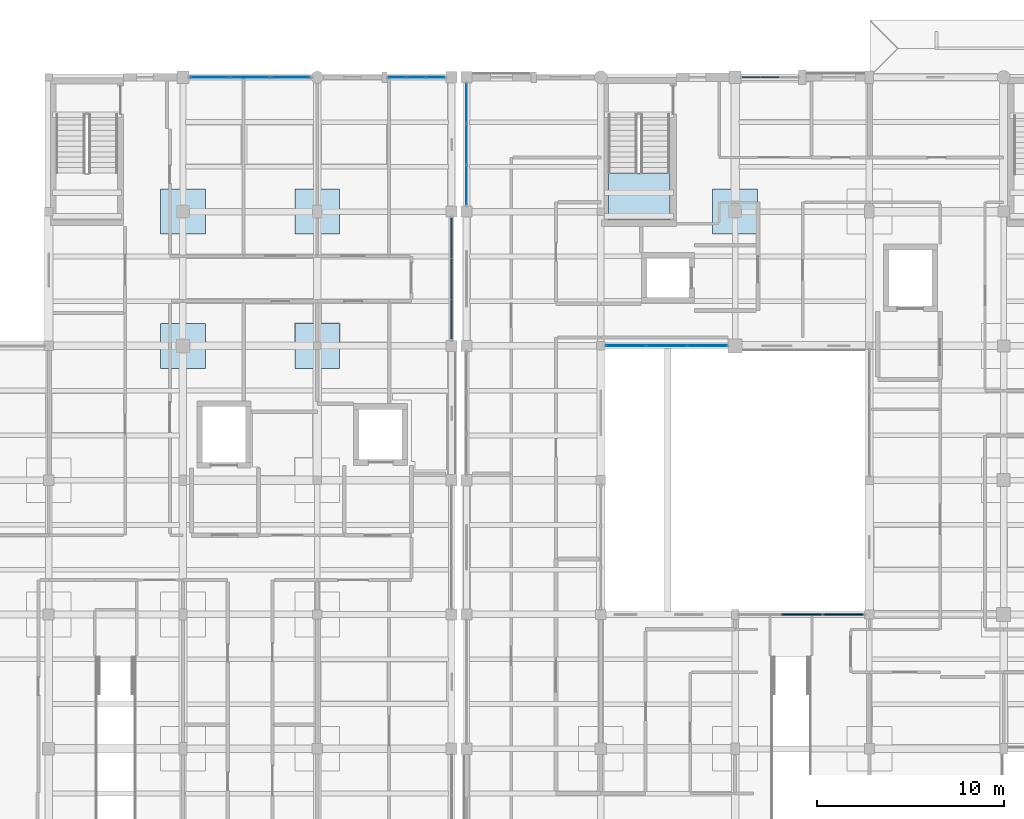
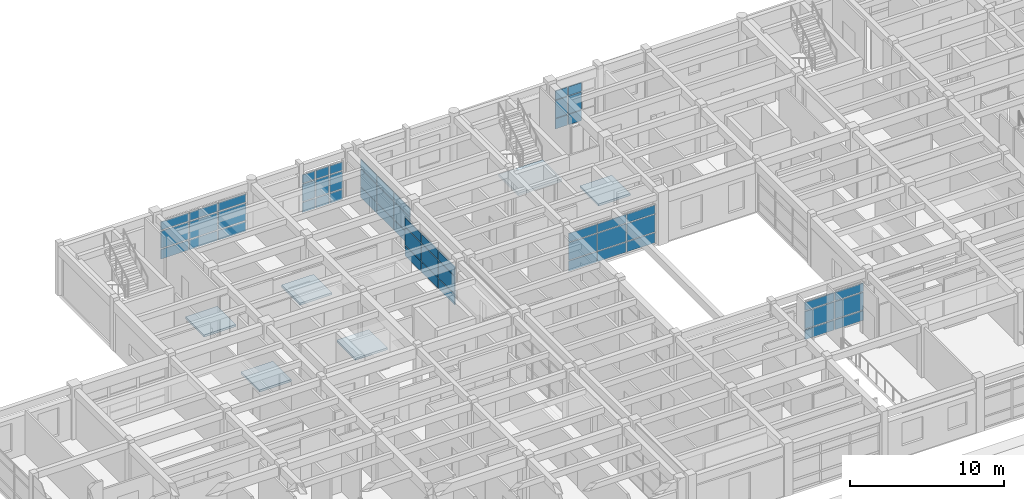
# One storey, part 65 of 110: 57 plates, 6 slabs, 8 elements without a shape of their own.
"""IFC4 building model written with IfcOpenShell, lengths in metres."""

from ifc_helpers import new_model, si_unit, direction, frame, origin, origin_2d, place, context, subcontext, project, spatial, polyline, rectangle, outline, extrude, material, layer, layer_set, type_object, element, aggregate, save


model = new_model("IFC4")

# Units and contexts
model_context = context("Model", 3, precision=1e-05, world=origin(), true_north=direction((0.0, 1.0)))
body_context = subcontext(model_context, "Body", "Model", "MODEL_VIEW")
ifc_project = project(units=[si_unit("LENGTHUNIT", "METRE"), si_unit("AREAUNIT", "SQUARE_METRE"), si_unit("VOLUMEUNIT", "CUBIC_METRE"), si_unit("PLANEANGLEUNIT", "RADIAN"), si_unit("MASSUNIT", "GRAM", prefix="KILO")], contexts=[model_context])

# Site, building, storey
site_placement = place(None, origin())
site = spatial("IfcSite", under=ifc_project, at=site_placement, CompositionType="ELEMENT")
building_placement = place(site_placement, origin())
building = spatial("IfcBuilding", under=site, at=building_placement, Name="Steenspoor Specialist Clinic", CompositionType="ELEMENT")
storey_placement = place(building_placement, frame((0.0, 0.0, 4.800048828125)))
storey = spatial("IfcBuildingStorey", under=building, at=storey_placement, Name="L01", CompositionType="ELEMENT", Elevation=4.800048828125)

# Curtain wall, plates
ifc_material_1 = material(Name="Thermally broken aluminium and low-emissivity glass", Category="aluminium")
curtain_wall_type_1 = type_object("IfcCurtainWallType", Name="CW-STR-220X415", PredefinedType="USERDEFINED", material=ifc_material_1)
curtain_wall_1_placement = place(storey_placement, origin())
curtain_wall_1 = element("IfcCurtainWall", 1, at=curtain_wall_1_placement, inside=storey, type_object=curtain_wall_type_1, Name="Unitised Curtain Wall CW-V5-L01-144", ObjectType="UNITISED GLAZING", PredefinedType="USERDEFINED")
ifc_material_2 = material(Name="Double low-emissivity insulated glass", Category="glass")
ifc_layer_1 = layer(ifc_material_2, 0.035888671875)
ifc_layer_set_1 = layer_set([ifc_layer_1], Name="Double low-emissivity insulated glass")
plate_type_1 = type_object("IfcPlateType", Name="CW-PAN-GL36", PredefinedType="CURTAIN_PANEL", material=ifc_layer_set_1)
plate_1_placement = place(storey_placement, frame((38.63671875, 108.35009765625, 0.08984375), z_axis=(0.0, 0.0, 1.0), x_axis=(1.0, 0.0, 0.0)))
plate_1 = element("IfcPlate", 2, at=plate_1_placement, type_object=plate_type_1, Name="CW-24 panel 1.1", PredefinedType="CURTAIN_PANEL", context=body_context, shape_type="SweptSolid", body=[
    extrude(rectangle(XDim=2.063232421875, YDim=0.035888671875, at=origin_2d()), origin(), (0.0, 0.0, 1.0), 0.764892578125),
])
plate_2_placement = place(storey_placement, frame((38.63671875, 108.35009765625, 0.94482421875), z_axis=(0.0, 0.0, 1.0), x_axis=(1.0, 0.0, 0.0)))
plate_2 = element("IfcPlate", 3, at=plate_2_placement, type_object=plate_type_1, Name="CW-24 panel 1.2", PredefinedType="CURTAIN_PANEL", context=body_context, shape_type="SweptSolid", body=[
    extrude(rectangle(XDim=2.063232421875, YDim=0.035888671875, at=origin_2d()), origin(), (0.0, 0.0, 1.0), 1.360107421875),
])
plate_3_placement = place(storey_placement, frame((38.63671875, 108.35009765625, 2.39501953125), z_axis=(0.0, 0.0, 1.0), x_axis=(1.0, 0.0, 0.0)))
plate_3 = element("IfcPlate", 4, at=plate_3_placement, type_object=plate_type_1, Name="CW-24 panel 1.3", PredefinedType="CURTAIN_PANEL", context=body_context, shape_type="SweptSolid", body=[
    extrude(rectangle(XDim=2.063232421875, YDim=0.035888671875, at=origin_2d()), origin(), (0.0, 0.0, 1.0), 0.64501953125),
])
plate_4_placement = place(storey_placement, frame((40.800048828125, 108.35009765625, 0.08984375), z_axis=(0.0, 0.0, 1.0), x_axis=(1.0, 0.0, 0.0)))
plate_4 = element("IfcPlate", 5, at=plate_4_placement, type_object=plate_type_1, Name="CW-24 panel 2.1", PredefinedType="CURTAIN_PANEL", context=body_context, shape_type="SweptSolid", body=[
    extrude(rectangle(XDim=2.103271484375, YDim=0.035888671875, at=origin_2d()), origin(), (0.0, 0.0, 1.0), 0.764892578125),
])
plate_5_placement = place(storey_placement, frame((40.800048828125, 108.35009765625, 0.94482421875), z_axis=(0.0, 0.0, 1.0), x_axis=(1.0, 0.0, 0.0)))
plate_5 = element("IfcPlate", 6, at=plate_5_placement, type_object=plate_type_1, Name="CW-24 panel 2.2", PredefinedType="CURTAIN_PANEL", context=body_context, shape_type="SweptSolid", body=[
    extrude(rectangle(XDim=2.103271484375, YDim=0.035888671875, at=origin_2d()), origin(), (0.0, 0.0, 1.0), 1.360107421875),
])
plate_6_placement = place(storey_placement, frame((40.800048828125, 108.35009765625, 2.39501953125), z_axis=(0.0, 0.0, 1.0), x_axis=(1.0, 0.0, 0.0)))
plate_6 = element("IfcPlate", 7, at=plate_6_placement, type_object=plate_type_1, Name="CW-24 panel 2.3", PredefinedType="CURTAIN_PANEL", context=body_context, shape_type="SweptSolid", body=[
    extrude(rectangle(XDim=2.103271484375, YDim=0.035888671875, at=origin_2d()), origin(), (0.0, 0.0, 1.0), 0.64501953125),
])
plate_7_placement = place(storey_placement, frame((42.96337890625, 108.35009765625, 0.08984375), z_axis=(0.0, 0.0, 1.0), x_axis=(1.0, 0.0, 0.0)))
plate_7 = element("IfcPlate", 8, at=plate_7_placement, type_object=plate_type_1, Name="CW-24 panel 3.1", PredefinedType="CURTAIN_PANEL", context=body_context, shape_type="SweptSolid", body=[
    extrude(rectangle(XDim=2.063232421875, YDim=0.035888671875, at=origin_2d()), origin(), (0.0, 0.0, 1.0), 0.764892578125),
])
plate_8_placement = place(storey_placement, frame((42.96337890625, 108.35009765625, 0.94482421875), z_axis=(0.0, 0.0, 1.0), x_axis=(1.0, 0.0, 0.0)))
plate_8 = element("IfcPlate", 9, at=plate_8_placement, type_object=plate_type_1, Name="CW-24 panel 3.2", PredefinedType="CURTAIN_PANEL", context=body_context, shape_type="SweptSolid", body=[
    extrude(rectangle(XDim=2.063232421875, YDim=0.035888671875, at=origin_2d()), origin(), (0.0, 0.0, 1.0), 1.360107421875),
])
plate_9_placement = place(storey_placement, frame((42.96337890625, 108.35009765625, 2.39501953125), z_axis=(0.0, 0.0, 1.0), x_axis=(1.0, 0.0, 0.0)))
plate_9 = element("IfcPlate", 10, at=plate_9_placement, type_object=plate_type_1, Name="CW-24 panel 3.3", PredefinedType="CURTAIN_PANEL", context=body_context, shape_type="SweptSolid", body=[
    extrude(rectangle(XDim=2.063232421875, YDim=0.035888671875, at=origin_2d()), origin(), (0.0, 0.0, 1.0), 0.64501953125),
])
aggregate(curtain_wall_1, [plate_1, plate_2, plate_3, plate_4, plate_5, plate_6, plate_7, plate_8, plate_9])

curtain_wall_type_2 = type_object("IfcCurtainWallType", Name="CW-SCR-360X320", PredefinedType="USERDEFINED", material=ifc_material_1)
curtain_wall_2_placement = place(storey_placement, origin())
curtain_wall_2 = element("IfcCurtainWall", 11, at=curtain_wall_2_placement, inside=storey, type_object=curtain_wall_type_2, Name="Unitised Curtain Wall CW-V4-L01-067", ObjectType="UNITISED GLAZING", PredefinedType="USERDEFINED")
ifc_material_3 = material(Name="Triple acoustic laminated low-emissivity glass", Category="glass")
ifc_layer_2 = layer(ifc_material_3, 0.048095703125)
ifc_layer_set_2 = layer_set([ifc_layer_2], Name="Triple acoustic laminated low-emissivity glass")
plate_type_2 = type_object("IfcPlateType", Name="CW-PAN-GL48", PredefinedType="CURTAIN_PANEL", material=ifc_layer_set_2)
plate_10_placement = place(storey_placement, frame((52.39990234375, 102.570068359375, 0.06494140625), z_axis=(0.0, 0.0, 1.0), x_axis=(0.0, 1.0, 0.0)))
plate_10 = element("IfcPlate", 12, at=plate_10_placement, type_object=plate_type_2, Name="CW-19 panel 1.1", PredefinedType="CURTAIN_PANEL", context=body_context, shape_type="SweptSolid", body=[
    extrude(rectangle(XDim=2.080078125, YDim=0.048095703125, at=origin_2d()), origin(), (0.0, 0.0, 1.0), 0.802490234375),
])
plate_11_placement = place(storey_placement, frame((52.39990234375, 102.570068359375, 0.9326171875), z_axis=(0.0, 0.0, 1.0), x_axis=(0.0, 1.0, 0.0)))
plate_11 = element("IfcPlate", 13, at=plate_11_placement, type_object=plate_type_2, Name="CW-19 panel 1.2", PredefinedType="CURTAIN_PANEL", context=body_context, shape_type="SweptSolid", body=[
    extrude(rectangle(XDim=2.080078125, YDim=0.048095703125, at=origin_2d()), origin(), (0.0, 0.0, 1.0), 1.385009765625),
])
plate_12_placement = place(storey_placement, frame((52.39990234375, 102.570068359375, 2.38232421875), z_axis=(0.0, 0.0, 1.0), x_axis=(0.0, 1.0, 0.0)))
plate_12 = element("IfcPlate", 14, at=plate_12_placement, type_object=plate_type_2, Name="CW-19 panel 1.3", PredefinedType="CURTAIN_PANEL", context=body_context, shape_type="SweptSolid", body=[
    extrude(rectangle(XDim=2.080078125, YDim=0.048095703125, at=origin_2d()), origin(), (0.0, 0.0, 1.0), 0.6826171875),
])
plate_13_placement = place(storey_placement, frame((52.39990234375, 104.75, 0.06494140625), z_axis=(0.0, 0.0, 1.0), x_axis=(0.0, 1.0, 0.0)))
plate_13 = element("IfcPlate", 15, at=plate_13_placement, type_object=plate_type_2, Name="CW-19 panel 2.1", PredefinedType="CURTAIN_PANEL", context=body_context, shape_type="SweptSolid", body=[
    extrude(rectangle(XDim=2.1201171875, YDim=0.048095703125, at=origin_2d()), origin(), (0.0, 0.0, 1.0), 0.802490234375),
])
plate_14_placement = place(storey_placement, frame((52.39990234375, 104.75, 0.9326171875), z_axis=(0.0, 0.0, 1.0), x_axis=(0.0, 1.0, 0.0)))
plate_14 = element("IfcPlate", 16, at=plate_14_placement, type_object=plate_type_2, Name="CW-19 panel 2.2", PredefinedType="CURTAIN_PANEL", context=body_context, shape_type="SweptSolid", body=[
    extrude(rectangle(XDim=2.1201171875, YDim=0.048095703125, at=origin_2d()), origin(), (0.0, 0.0, 1.0), 1.385009765625),
])
plate_15_placement = place(storey_placement, frame((52.39990234375, 104.75, 2.38232421875), z_axis=(0.0, 0.0, 1.0), x_axis=(0.0, 1.0, 0.0)))
plate_15 = element("IfcPlate", 17, at=plate_15_placement, type_object=plate_type_2, Name="CW-19 panel 2.3", PredefinedType="CURTAIN_PANEL", context=body_context, shape_type="SweptSolid", body=[
    extrude(rectangle(XDim=2.1201171875, YDim=0.048095703125, at=origin_2d()), origin(), (0.0, 0.0, 1.0), 0.6826171875),
])
plate_16_placement = place(storey_placement, frame((52.39990234375, 106.929931640625, 0.06494140625), z_axis=(0.0, 0.0, 1.0), x_axis=(0.0, 1.0, 0.0)))
plate_16 = element("IfcPlate", 18, at=plate_16_placement, type_object=plate_type_2, Name="CW-19 panel 3.1", PredefinedType="CURTAIN_PANEL", context=body_context, shape_type="SweptSolid", body=[
    extrude(rectangle(XDim=2.080078125, YDim=0.048095703125, at=origin_2d()), origin(), (0.0, 0.0, 1.0), 0.802490234375),
])
plate_17_placement = place(storey_placement, frame((52.39990234375, 106.929931640625, 0.9326171875), z_axis=(0.0, 0.0, 1.0), x_axis=(0.0, 1.0, 0.0)))
plate_17 = element("IfcPlate", 19, at=plate_17_placement, type_object=plate_type_2, Name="CW-19 panel 3.2", PredefinedType="CURTAIN_PANEL", context=body_context, shape_type="SweptSolid", body=[
    extrude(rectangle(XDim=2.080078125, YDim=0.048095703125, at=origin_2d()), origin(), (0.0, 0.0, 1.0), 1.385009765625),
])
plate_18_placement = place(storey_placement, frame((52.39990234375, 106.929931640625, 2.38232421875), z_axis=(0.0, 0.0, 1.0), x_axis=(0.0, 1.0, 0.0)))
plate_18 = element("IfcPlate", 20, at=plate_18_placement, type_object=plate_type_2, Name="CW-19 panel 3.3", PredefinedType="CURTAIN_PANEL", context=body_context, shape_type="SweptSolid", body=[
    extrude(rectangle(XDim=2.080078125, YDim=0.048095703125, at=origin_2d()), origin(), (0.0, 0.0, 1.0), 0.6826171875),
])
aggregate(curtain_wall_2, [plate_10, plate_11, plate_12, plate_13, plate_14, plate_15, plate_16, plate_17, plate_18])

curtain_wall_type_3 = type_object("IfcCurtainWallType", Name="CW-L00-660X415", PredefinedType="USERDEFINED", material=ifc_material_1)
curtain_wall_3_placement = place(storey_placement, origin())
curtain_wall_3 = element("IfcCurtainWall", 21, at=curtain_wall_3_placement, inside=storey, type_object=curtain_wall_type_3, Name="Unitised Curtain Wall CW-V4-L01-076", ObjectType="UNITISED GLAZING", PredefinedType="USERDEFINED")
plate_19_placement = place(storey_placement, frame((65.31005859375, 93.949951171875, 0.070068359375), z_axis=(0.0, 0.0, 1.0), x_axis=(-1.0, 0.0, 0.0)))
plate_19 = element("IfcPlate", 22, at=plate_19_placement, type_object=plate_type_2, Name="CW-04 panel 1.1", PredefinedType="CURTAIN_PANEL", context=body_context, shape_type="SweptSolid", body=[
    extrude(rectangle(XDim=2.110107421875, YDim=0.048095703125, at=origin_2d()), origin(), (0.0, 0.0, 1.0), 0.794921875),
])
plate_20_placement = place(storey_placement, frame((65.31005859375, 93.949951171875, 0.93505859375), z_axis=(0.0, 0.0, 1.0), x_axis=(-1.0, 0.0, 0.0)))
plate_20 = element("IfcPlate", 23, at=plate_20_placement, type_object=plate_type_2, Name="CW-04 panel 1.2", PredefinedType="CURTAIN_PANEL", context=body_context, shape_type="SweptSolid", body=[
    extrude(rectangle(XDim=2.110107421875, YDim=0.048095703125, at=origin_2d()), origin(), (0.0, 0.0, 1.0), 1.3798828125),
])
plate_21_placement = place(storey_placement, frame((65.31005859375, 93.949951171875, 2.384765625), z_axis=(0.0, 0.0, 1.0), x_axis=(-1.0, 0.0, 0.0)))
plate_21 = element("IfcPlate", 24, at=plate_21_placement, type_object=plate_type_2, Name="CW-04 panel 1.3", PredefinedType="CURTAIN_PANEL", context=body_context, shape_type="SweptSolid", body=[
    extrude(rectangle(XDim=2.110107421875, YDim=0.048095703125, at=origin_2d()), origin(), (0.0, 0.0, 1.0), 0.675048828125),
])
plate_22_placement = place(storey_placement, frame((63.125, 93.949951171875, 0.070068359375), z_axis=(0.0, 0.0, 1.0), x_axis=(-1.0, 0.0, 0.0)))
plate_22 = element("IfcPlate", 25, at=plate_22_placement, type_object=plate_type_2, Name="CW-04 panel 2.1", PredefinedType="CURTAIN_PANEL", context=body_context, shape_type="SweptSolid", body=[
    extrude(rectangle(XDim=2.139892578125, YDim=0.048095703125, at=origin_2d()), origin(), (0.0, 0.0, 1.0), 0.794921875),
])
plate_23_placement = place(storey_placement, frame((63.125, 93.949951171875, 0.93505859375), z_axis=(0.0, 0.0, 1.0), x_axis=(-1.0, 0.0, 0.0)))
plate_23 = element("IfcPlate", 26, at=plate_23_placement, type_object=plate_type_2, Name="CW-04 panel 2.2", PredefinedType="CURTAIN_PANEL", context=body_context, shape_type="SweptSolid", body=[
    extrude(rectangle(XDim=2.139892578125, YDim=0.048095703125, at=origin_2d()), origin(), (0.0, 0.0, 1.0), 1.3798828125),
])
plate_24_placement = place(storey_placement, frame((63.125, 93.949951171875, 2.384765625), z_axis=(0.0, 0.0, 1.0), x_axis=(-1.0, 0.0, 0.0)))
plate_24 = element("IfcPlate", 27, at=plate_24_placement, type_object=plate_type_2, Name="CW-04 panel 2.3", PredefinedType="CURTAIN_PANEL", context=body_context, shape_type="SweptSolid", body=[
    extrude(rectangle(XDim=2.139892578125, YDim=0.048095703125, at=origin_2d()), origin(), (0.0, 0.0, 1.0), 0.675048828125),
])
plate_25_placement = place(storey_placement, frame((60.93994140625, 93.949951171875, 0.070068359375), z_axis=(0.0, 0.0, 1.0), x_axis=(-1.0, 0.0, 0.0)))
plate_25 = element("IfcPlate", 28, at=plate_25_placement, type_object=plate_type_2, Name="CW-04 panel 3.1", PredefinedType="CURTAIN_PANEL", context=body_context, shape_type="SweptSolid", body=[
    extrude(rectangle(XDim=2.110107421875, YDim=0.048095703125, at=origin_2d()), origin(), (0.0, 0.0, 1.0), 0.794921875),
])
plate_26_placement = place(storey_placement, frame((60.93994140625, 93.949951171875, 0.93505859375), z_axis=(0.0, 0.0, 1.0), x_axis=(-1.0, 0.0, 0.0)))
plate_26 = element("IfcPlate", 29, at=plate_26_placement, type_object=plate_type_2, Name="CW-04 panel 3.2", PredefinedType="CURTAIN_PANEL", context=body_context, shape_type="SweptSolid", body=[
    extrude(rectangle(XDim=2.110107421875, YDim=0.048095703125, at=origin_2d()), origin(), (0.0, 0.0, 1.0), 1.3798828125),
])
plate_27_placement = place(storey_placement, frame((60.93994140625, 93.949951171875, 2.384765625), z_axis=(0.0, 0.0, 1.0), x_axis=(-1.0, 0.0, 0.0)))
plate_27 = element("IfcPlate", 30, at=plate_27_placement, type_object=plate_type_2, Name="CW-04 panel 3.3", PredefinedType="CURTAIN_PANEL", context=body_context, shape_type="SweptSolid", body=[
    extrude(rectangle(XDim=2.110107421875, YDim=0.048095703125, at=origin_2d()), origin(), (0.0, 0.0, 1.0), 0.675048828125),
])
aggregate(curtain_wall_3, [plate_19, plate_20, plate_21, plate_22, plate_23, plate_24, plate_25, plate_26, plate_27])

curtain_wall_type_4 = type_object("IfcCurtainWallType", Name="CW-HALL-660X820", PredefinedType="USERDEFINED", material=ifc_material_1)
curtain_wall_4_placement = place(storey_placement, origin())
curtain_wall_4 = element("IfcCurtainWall", 31, at=curtain_wall_4_placement, inside=storey, type_object=curtain_wall_type_4, Name="Unitised Curtain Wall CW-V5-L01-145", ObjectType="UNITISED GLAZING", PredefinedType="USERDEFINED")
plate_28_placement = place(storey_placement, frame((48.686767578125, 108.35009765625, 0.080078125), z_axis=(0.0, 0.0, 1.0), x_axis=(1.0, 0.0, 0.0)))
plate_28 = element("IfcPlate", 32, at=plate_28_placement, type_object=plate_type_2, Name="CW-01 panel 1.1", PredefinedType="CURTAIN_PANEL", context=body_context, shape_type="SweptSolid", body=[
    extrude(rectangle(XDim=0.933349609375, YDim=0.048095703125, at=origin_2d()), origin(), (0.0, 0.0, 1.0), 0.780029296875),
])
plate_29_placement = place(storey_placement, frame((48.686767578125, 108.35009765625, 0.93994140625), z_axis=(0.0, 0.0, 1.0), x_axis=(1.0, 0.0, 0.0)))
plate_29 = element("IfcPlate", 33, at=plate_29_placement, type_object=plate_type_2, Name="CW-01 panel 1.2", PredefinedType="CURTAIN_PANEL", context=body_context, shape_type="SweptSolid", body=[
    extrude(rectangle(XDim=0.933349609375, YDim=0.048095703125, at=origin_2d()), origin(), (0.0, 0.0, 1.0), 1.3701171875),
])
plate_30_placement = place(storey_placement, frame((48.686767578125, 108.35009765625, 2.39013671875), z_axis=(0.0, 0.0, 1.0), x_axis=(1.0, 0.0, 0.0)))
plate_30 = element("IfcPlate", 34, at=plate_30_placement, type_object=plate_type_2, Name="CW-01 panel 1.3", PredefinedType="CURTAIN_PANEL", context=body_context, shape_type="SweptSolid", body=[
    extrude(rectangle(XDim=0.933349609375, YDim=0.048095703125, at=origin_2d()), origin(), (0.0, 0.0, 1.0), 0.659912109375),
])
plate_31_placement = place(storey_placement, frame((49.719970703125, 108.35009765625, 0.080078125), z_axis=(0.0, 0.0, 1.0), x_axis=(1.0, 0.0, 0.0)))
plate_31 = element("IfcPlate", 35, at=plate_31_placement, type_object=plate_type_2, Name="CW-01 panel 2.1", PredefinedType="CURTAIN_PANEL", context=body_context, shape_type="SweptSolid", body=[
    extrude(rectangle(XDim=0.973388671875, YDim=0.048095703125, at=origin_2d()), origin(), (0.0, 0.0, 1.0), 0.780029296875),
])
plate_32_placement = place(storey_placement, frame((49.719970703125, 108.35009765625, 0.93994140625), z_axis=(0.0, 0.0, 1.0), x_axis=(1.0, 0.0, 0.0)))
plate_32 = element("IfcPlate", 36, at=plate_32_placement, type_object=plate_type_2, Name="CW-01 panel 2.2", PredefinedType="CURTAIN_PANEL", context=body_context, shape_type="SweptSolid", body=[
    extrude(rectangle(XDim=0.973388671875, YDim=0.048095703125, at=origin_2d()), origin(), (0.0, 0.0, 1.0), 1.3701171875),
])
plate_33_placement = place(storey_placement, frame((49.719970703125, 108.35009765625, 2.39013671875), z_axis=(0.0, 0.0, 1.0), x_axis=(1.0, 0.0, 0.0)))
plate_33 = element("IfcPlate", 37, at=plate_33_placement, type_object=plate_type_2, Name="CW-01 panel 2.3", PredefinedType="CURTAIN_PANEL", context=body_context, shape_type="SweptSolid", body=[
    extrude(rectangle(XDim=0.973388671875, YDim=0.048095703125, at=origin_2d()), origin(), (0.0, 0.0, 1.0), 0.659912109375),
])
plate_34_placement = place(storey_placement, frame((50.75341796875, 108.35009765625, 0.080078125), z_axis=(0.0, 0.0, 1.0), x_axis=(1.0, 0.0, 0.0)))
plate_34 = element("IfcPlate", 38, at=plate_34_placement, type_object=plate_type_2, Name="CW-01 panel 3.1", PredefinedType="CURTAIN_PANEL", context=body_context, shape_type="SweptSolid", body=[
    extrude(rectangle(XDim=0.933349609375, YDim=0.048095703125, at=origin_2d()), origin(), (0.0, 0.0, 1.0), 0.780029296875),
])
plate_35_placement = place(storey_placement, frame((50.75341796875, 108.35009765625, 0.93994140625), z_axis=(0.0, 0.0, 1.0), x_axis=(1.0, 0.0, 0.0)))
plate_35 = element("IfcPlate", 39, at=plate_35_placement, type_object=plate_type_2, Name="CW-01 panel 3.2", PredefinedType="CURTAIN_PANEL", context=body_context, shape_type="SweptSolid", body=[
    extrude(rectangle(XDim=0.933349609375, YDim=0.048095703125, at=origin_2d()), origin(), (0.0, 0.0, 1.0), 1.3701171875),
])
plate_36_placement = place(storey_placement, frame((50.75341796875, 108.35009765625, 2.39013671875), z_axis=(0.0, 0.0, 1.0), x_axis=(1.0, 0.0, 0.0)))
plate_36 = element("IfcPlate", 40, at=plate_36_placement, type_object=plate_type_2, Name="CW-01 panel 3.3", PredefinedType="CURTAIN_PANEL", context=body_context, shape_type="SweptSolid", body=[
    extrude(rectangle(XDim=0.933349609375, YDim=0.048095703125, at=origin_2d()), origin(), (0.0, 0.0, 1.0), 0.659912109375),
])
aggregate(curtain_wall_4, [plate_28, plate_29, plate_30, plate_31, plate_32, plate_33, plate_34, plate_35, plate_36])

curtain_wall_type_5 = type_object("IfcCurtainWallType", Name="CW-WLK-640X340", PredefinedType="USERDEFINED", material=ifc_material_1)
curtain_wall_5_placement = place(storey_placement, origin())
curtain_wall_5 = element("IfcCurtainWall", 41, at=curtain_wall_5_placement, inside=storey, type_object=curtain_wall_type_5, Name="Unitised Curtain Wall CW-V4-L01-068", ObjectType="UNITISED GLAZING", PredefinedType="USERDEFINED")
ifc_material_4 = material(Name="Insulated glazed ceramic spandrel panel", Category="glass")
ifc_layer_3 = layer(ifc_material_4, 0.074951171875)
ifc_layer_set_3 = layer_set([ifc_layer_3], Name="Insulated glazed ceramic spandrel panel")
plate_type_3 = type_object("IfcPlateType", Name="CW-PAN-SP75", PredefinedType="CURTAIN_PANEL", material=ifc_layer_set_3)
plate_37_placement = place(storey_placement, frame((67.65673828125, 108.35009765625, 0.059814453125), z_axis=(0.0, 0.0, 1.0), x_axis=(1.0, 0.0, 0.0)))
plate_37 = element("IfcPlate", 42, at=plate_37_placement, type_object=plate_type_3, Name="CW-20 panel 1.1", PredefinedType="CURTAIN_PANEL", context=body_context, shape_type="SweptSolid", body=[
    extrude(rectangle(XDim=0.92333984375, YDim=0.074951171875, at=origin_2d()), origin(), (0.0, 0.0, 1.0), 0.81005859375),
])
plate_38_placement = place(storey_placement, frame((67.65673828125, 108.35009765625, 0.93017578125), z_axis=(0.0, 0.0, 1.0), x_axis=(1.0, 0.0, 0.0)))
plate_38 = element("IfcPlate", 43, at=plate_38_placement, type_object=plate_type_3, Name="CW-20 panel 1.2", PredefinedType="CURTAIN_PANEL", context=body_context, shape_type="SweptSolid", body=[
    extrude(rectangle(XDim=0.92333984375, YDim=0.074951171875, at=origin_2d()), origin(), (0.0, 0.0, 1.0), 1.389892578125),
])
plate_39_placement = place(storey_placement, frame((67.65673828125, 108.35009765625, 2.3798828125), z_axis=(0.0, 0.0, 1.0), x_axis=(1.0, 0.0, 0.0)))
plate_39 = element("IfcPlate", 44, at=plate_39_placement, type_object=plate_type_3, Name="CW-20 panel 1.3", PredefinedType="CURTAIN_PANEL", context=body_context, shape_type="SweptSolid", body=[
    extrude(rectangle(XDim=0.92333984375, YDim=0.074951171875, at=origin_2d()), origin(), (0.0, 0.0, 1.0), 0.68994140625),
])
plate_40_placement = place(storey_placement, frame((68.66748046875, 108.35009765625, 0.059814453125), z_axis=(0.0, 0.0, 1.0), x_axis=(1.0, 0.0, 0.0)))
plate_40 = element("IfcPlate", 45, at=plate_40_placement, type_object=plate_type_3, Name="CW-20 panel 2.1", PredefinedType="CURTAIN_PANEL", context=body_context, shape_type="SweptSolid", body=[
    extrude(rectangle(XDim=0.958251953125, YDim=0.074951171875, at=origin_2d()), origin(), (0.0, 0.0, 1.0), 0.81005859375),
])
plate_41_placement = place(storey_placement, frame((68.66748046875, 108.35009765625, 0.93017578125), z_axis=(0.0, 0.0, 1.0), x_axis=(1.0, 0.0, 0.0)))
plate_41 = element("IfcPlate", 46, at=plate_41_placement, type_object=plate_type_3, Name="CW-20 panel 2.2", PredefinedType="CURTAIN_PANEL", context=body_context, shape_type="SweptSolid", body=[
    extrude(rectangle(XDim=0.958251953125, YDim=0.074951171875, at=origin_2d()), origin(), (0.0, 0.0, 1.0), 1.389892578125),
])
plate_42_placement = place(storey_placement, frame((68.66748046875, 108.35009765625, 2.3798828125), z_axis=(0.0, 0.0, 1.0), x_axis=(1.0, 0.0, 0.0)))
plate_42 = element("IfcPlate", 47, at=plate_42_placement, type_object=plate_type_3, Name="CW-20 panel 2.3", PredefinedType="CURTAIN_PANEL", context=body_context, shape_type="SweptSolid", body=[
    extrude(rectangle(XDim=0.958251953125, YDim=0.074951171875, at=origin_2d()), origin(), (0.0, 0.0, 1.0), 0.68994140625),
])
aggregate(curtain_wall_5, [plate_37, plate_38, plate_39, plate_40, plate_41, plate_42])

curtain_wall_type_6 = type_object("IfcCurtainWallType", Name="CW-HALL-650X820", PredefinedType="USERDEFINED", material=ifc_material_1)
curtain_wall_6_placement = place(storey_placement, origin())
curtain_wall_6 = element("IfcCurtainWall", 48, at=curtain_wall_6_placement, inside=storey, type_object=curtain_wall_type_6, Name="Unitised Curtain Wall CW-V4-L01-074", ObjectType="UNITISED GLAZING", PredefinedType="USERDEFINED")
plate_43_placement = place(storey_placement, frame((70.375, 79.550048828125, 0.08984375), z_axis=(0.0, 0.0, 1.0), x_axis=(1.0, 0.0, 0.0)))
plate_43 = element("IfcPlate", 49, at=plate_43_placement, type_object=plate_type_3, Name="CW-02 panel 2.1", PredefinedType="CURTAIN_PANEL", context=body_context, shape_type="SweptSolid", body=[
    extrude(rectangle(XDim=2.179931640625, YDim=0.074951171875, at=origin_2d()), origin(), (0.0, 0.0, 1.0), 0.764892578125),
])
plate_44_placement = place(storey_placement, frame((70.375, 79.550048828125, 0.94482421875), z_axis=(0.0, 0.0, 1.0), x_axis=(1.0, 0.0, 0.0)))
plate_44 = element("IfcPlate", 50, at=plate_44_placement, type_object=plate_type_3, Name="CW-02 panel 2.2", PredefinedType="CURTAIN_PANEL", context=body_context, shape_type="SweptSolid", body=[
    extrude(rectangle(XDim=2.179931640625, YDim=0.074951171875, at=origin_2d()), origin(), (0.0, 0.0, 1.0), 1.360107421875),
])
plate_45_placement = place(storey_placement, frame((70.375, 79.550048828125, 2.39501953125), z_axis=(0.0, 0.0, 1.0), x_axis=(1.0, 0.0, 0.0)))
plate_45 = element("IfcPlate", 51, at=plate_45_placement, type_object=plate_type_3, Name="CW-02 panel 2.3", PredefinedType="CURTAIN_PANEL", context=body_context, shape_type="SweptSolid", body=[
    extrude(rectangle(XDim=2.179931640625, YDim=0.074951171875, at=origin_2d()), origin(), (0.0, 0.0, 1.0), 0.64501953125),
])
plate_46_placement = place(storey_placement, frame((72.607421875, 79.550048828125, 0.08984375), z_axis=(0.0, 0.0, 1.0), x_axis=(1.0, 0.0, 0.0)))
plate_46 = element("IfcPlate", 52, at=plate_46_placement, type_object=plate_type_3, Name="CW-02 panel 3.1", PredefinedType="CURTAIN_PANEL", context=body_context, shape_type="SweptSolid", body=[
    extrude(rectangle(XDim=2.14501953125, YDim=0.074951171875, at=origin_2d()), origin(), (0.0, 0.0, 1.0), 0.764892578125),
])
plate_47_placement = place(storey_placement, frame((72.607421875, 79.550048828125, 0.94482421875), z_axis=(0.0, 0.0, 1.0), x_axis=(1.0, 0.0, 0.0)))
plate_47 = element("IfcPlate", 53, at=plate_47_placement, type_object=plate_type_3, Name="CW-02 panel 3.2", PredefinedType="CURTAIN_PANEL", context=body_context, shape_type="SweptSolid", body=[
    extrude(rectangle(XDim=2.14501953125, YDim=0.074951171875, at=origin_2d()), origin(), (0.0, 0.0, 1.0), 1.360107421875),
])
plate_48_placement = place(storey_placement, frame((72.607421875, 79.550048828125, 2.39501953125), z_axis=(0.0, 0.0, 1.0), x_axis=(1.0, 0.0, 0.0)))
plate_48 = element("IfcPlate", 54, at=plate_48_placement, type_object=plate_type_3, Name="CW-02 panel 3.3", PredefinedType="CURTAIN_PANEL", context=body_context, shape_type="SweptSolid", body=[
    extrude(rectangle(XDim=2.14501953125, YDim=0.074951171875, at=origin_2d()), origin(), (0.0, 0.0, 1.0), 0.64501953125),
])
aggregate(curtain_wall_6, [plate_43, plate_44, plate_45, plate_46, plate_47, plate_48])

curtain_wall_7_placement = place(storey_placement, origin())
curtain_wall_7 = element("IfcCurtainWall", 55, at=curtain_wall_7_placement, inside=storey, type_object=curtain_wall_type_6, Name="Unitised Curtain Wall CW-V5-L01-146", ObjectType="UNITISED GLAZING", PredefinedType="USERDEFINED")
plate_49_placement = place(storey_placement, frame((51.60009765625, 99.732421875, 0.070068359375), z_axis=(0.0, 0.0, 1.0), x_axis=(0.0, -1.0, 0.0)))
plate_49 = element("IfcPlate", 56, at=plate_49_placement, type_object=plate_type_3, Name="CW-02 panel 1.1", PredefinedType="CURTAIN_PANEL", context=body_context, shape_type="SweptSolid", body=[
    extrude(rectangle(XDim=2.094970703125, YDim=0.074951171875, at=origin_2d()), origin(), (0.0, 0.0, 1.0), 0.794921875),
])
plate_50_placement = place(storey_placement, frame((51.60009765625, 99.732421875, 0.93505859375), z_axis=(0.0, 0.0, 1.0), x_axis=(0.0, -1.0, 0.0)))
plate_50 = element("IfcPlate", 57, at=plate_50_placement, type_object=plate_type_3, Name="CW-02 panel 1.2", PredefinedType="CURTAIN_PANEL", context=body_context, shape_type="SweptSolid", body=[
    extrude(rectangle(XDim=2.094970703125, YDim=0.074951171875, at=origin_2d()), origin(), (0.0, 0.0, 1.0), 1.3798828125),
])
plate_51_placement = place(storey_placement, frame((51.60009765625, 99.732421875, 2.384765625), z_axis=(0.0, 0.0, 1.0), x_axis=(0.0, -1.0, 0.0)))
plate_51 = element("IfcPlate", 58, at=plate_51_placement, type_object=plate_type_3, Name="CW-02 panel 1.3", PredefinedType="CURTAIN_PANEL", context=body_context, shape_type="SweptSolid", body=[
    extrude(rectangle(XDim=2.094970703125, YDim=0.074951171875, at=origin_2d()), origin(), (0.0, 0.0, 1.0), 0.675048828125),
])
plate_52_placement = place(storey_placement, frame((51.60009765625, 97.550048828125, 0.070068359375), z_axis=(0.0, 0.0, 1.0), x_axis=(0.0, -1.0, 0.0)))
plate_52 = element("IfcPlate", 59, at=plate_52_placement, type_object=plate_type_3, Name="CW-02 panel 2.1", PredefinedType="CURTAIN_PANEL", context=body_context, shape_type="SweptSolid", body=[
    extrude(rectangle(XDim=2.1298828125, YDim=0.074951171875, at=origin_2d()), origin(), (0.0, 0.0, 1.0), 0.794921875),
])
plate_53_placement = place(storey_placement, frame((51.60009765625, 97.550048828125, 0.93505859375), z_axis=(0.0, 0.0, 1.0), x_axis=(0.0, -1.0, 0.0)))
plate_53 = element("IfcPlate", 60, at=plate_53_placement, type_object=plate_type_3, Name="CW-02 panel 2.2", PredefinedType="CURTAIN_PANEL", context=body_context, shape_type="SweptSolid", body=[
    extrude(rectangle(XDim=2.1298828125, YDim=0.074951171875, at=origin_2d()), origin(), (0.0, 0.0, 1.0), 1.3798828125),
])
plate_54_placement = place(storey_placement, frame((51.60009765625, 97.550048828125, 2.384765625), z_axis=(0.0, 0.0, 1.0), x_axis=(0.0, -1.0, 0.0)))
plate_54 = element("IfcPlate", 61, at=plate_54_placement, type_object=plate_type_3, Name="CW-02 panel 2.3", PredefinedType="CURTAIN_PANEL", context=body_context, shape_type="SweptSolid", body=[
    extrude(rectangle(XDim=2.1298828125, YDim=0.074951171875, at=origin_2d()), origin(), (0.0, 0.0, 1.0), 0.675048828125),
])
plate_55_placement = place(storey_placement, frame((51.60009765625, 95.367431640625, 0.070068359375), z_axis=(0.0, 0.0, 1.0), x_axis=(0.0, -1.0, 0.0)))
plate_55 = element("IfcPlate", 62, at=plate_55_placement, type_object=plate_type_3, Name="CW-02 panel 3.1", PredefinedType="CURTAIN_PANEL", context=body_context, shape_type="SweptSolid", body=[
    extrude(rectangle(XDim=2.094970703125, YDim=0.074951171875, at=origin_2d()), origin(), (0.0, 0.0, 1.0), 0.794921875),
])
plate_56_placement = place(storey_placement, frame((51.60009765625, 95.367431640625, 0.93505859375), z_axis=(0.0, 0.0, 1.0), x_axis=(0.0, -1.0, 0.0)))
plate_56 = element("IfcPlate", 63, at=plate_56_placement, type_object=plate_type_3, Name="CW-02 panel 3.2", PredefinedType="CURTAIN_PANEL", context=body_context, shape_type="SweptSolid", body=[
    extrude(rectangle(XDim=2.094970703125, YDim=0.074951171875, at=origin_2d()), origin(), (0.0, 0.0, 1.0), 1.3798828125),
])
plate_57_placement = place(storey_placement, frame((51.60009765625, 95.367431640625, 2.384765625), z_axis=(0.0, 0.0, 1.0), x_axis=(0.0, -1.0, 0.0)))
plate_57 = element("IfcPlate", 64, at=plate_57_placement, type_object=plate_type_3, Name="CW-02 panel 3.3", PredefinedType="CURTAIN_PANEL", context=body_context, shape_type="SweptSolid", body=[
    extrude(rectangle(XDim=2.094970703125, YDim=0.074951171875, at=origin_2d()), origin(), (0.0, 0.0, 1.0), 0.675048828125),
])
aggregate(curtain_wall_7, [plate_49, plate_50, plate_51, plate_52, plate_53, plate_54, plate_55, plate_56, plate_57])

# Slabs
ifc_material_5 = material(Name="Concrete C35/45", Category="concrete")
ifc_layer_4 = layer(ifc_material_5, 0.169921875)
ifc_layer_set_4 = layer_set([ifc_layer_4], Name="Concrete C35/45")
slab_type_1 = type_object("IfcSlabType", Name="SL-DROP-170", PredefinedType="USERDEFINED", material=ifc_layer_set_4)
slab_1_placement = place(storey_placement, frame((0.0, 0.0, -0.420166015625)))
element("IfcSlab", 65, at=slab_1_placement, inside=storey, type_object=slab_type_1, Name="Column Drop Panel DROP-V4-L01-021", ObjectType="DROP PANEL", PredefinedType="USERDEFINED", context=body_context, shape_type="SweptSolid", body=[
    extrude(outline(polyline([(68.0, 99.949951171875), (68.0, 102.35009765625), (65.60009765625, 102.35009765625), (65.60009765625, 99.949951171875), (68.0, 99.949951171875)])), origin(), (0.0, 0.0, 1.0), 0.170166015625),
])
slab_2_placement = place(storey_placement, frame((0.0, 0.0, -0.449951171875)))
element("IfcSlab", 66, at=slab_2_placement, inside=storey, type_object=slab_type_1, Name="Column Drop Panel DROP-V5-L01-100", ObjectType="DROP PANEL", PredefinedType="USERDEFINED", context=body_context, shape_type="SweptSolid", body=[
    extrude(outline(polyline([(38.39990234375, 92.75), (38.39990234375, 95.14990234375), (36.0, 95.14990234375), (36.0, 92.75), (38.39990234375, 92.75)])), origin(), (0.0, 0.0, 1.0), 0.169921875),
])
slab_3_placement = place(storey_placement, frame((0.0, 0.0, -0.449951171875)))
element("IfcSlab", 67, at=slab_3_placement, inside=storey, type_object=slab_type_1, Name="Column Drop Panel DROP-V5-L01-101", ObjectType="DROP PANEL", PredefinedType="USERDEFINED", context=body_context, shape_type="SweptSolid", body=[
    extrude(outline(polyline([(38.39990234375, 99.949951171875), (38.39990234375, 102.35009765625), (36.0, 102.35009765625), (36.0, 99.949951171875), (38.39990234375, 99.949951171875)])), origin(), (0.0, 0.0, 1.0), 0.169921875),
])
slab_4_placement = place(storey_placement, frame((0.0, 0.0, -0.449951171875)))
element("IfcSlab", 68, at=slab_4_placement, inside=storey, type_object=slab_type_1, Name="Column Drop Panel DROP-V5-L01-105", ObjectType="DROP PANEL", PredefinedType="USERDEFINED", context=body_context, shape_type="SweptSolid", body=[
    extrude(outline(polyline([(45.60009765625, 92.75), (45.60009765625, 95.14990234375), (43.199951171875, 95.14990234375), (43.199951171875, 92.75), (45.60009765625, 92.75)])), origin(), (0.0, 0.0, 1.0), 0.169921875),
])
slab_5_placement = place(storey_placement, frame((0.0, 0.0, -0.449951171875)))
element("IfcSlab", 69, at=slab_5_placement, inside=storey, type_object=slab_type_1, Name="Column Drop Panel DROP-V5-L01-106", ObjectType="DROP PANEL", PredefinedType="USERDEFINED", context=body_context, shape_type="SweptSolid", body=[
    extrude(outline(polyline([(45.60009765625, 99.949951171875), (45.60009765625, 102.35009765625), (43.199951171875, 102.35009765625), (43.199951171875, 99.949951171875), (45.60009765625, 99.949951171875)])), origin(), (0.0, 0.0, 1.0), 0.169921875),
])

# Stair, slab
stair_type = type_object("IfcStairType", Name="ST-CORE-TYP", PredefinedType="HALF_TURN_STAIR", material=ifc_material_5)
stair_placement = place(storey_placement, origin())
stair = element("IfcStair", 70, at=stair_placement, inside=storey, type_object=stair_type, Name="L01 Enclosed Exit Stair ST-V4A", PredefinedType="HALF_TURN_STAIR")
ifc_layer_5 = layer(ifc_material_5, 0.199951171875)
ifc_layer_set_5 = layer_set([ifc_layer_5], Name="Concrete C35/45")
slab_type_2 = type_object("IfcSlabType", Name="SL-LAND-200", PredefinedType="LANDING", material=ifc_layer_set_5)
slab_6_placement = place(storey_placement, frame((0.0, 0.0, 1.89990234375)))
slab_6 = element("IfcSlab", 71, at=slab_6_placement, type_object=slab_type_2, Name="ST-V4A landing 1", PredefinedType="LANDING", context=body_context, shape_type="SweptSolid", body=[
    extrude(outline(polyline([(60.0, 103.215087890625), (60.0, 100.699951171875), (63.300048828125, 100.699951171875), (63.300048828125, 103.215087890625), (60.0, 103.215087890625)])), origin(), (0.0, 0.0, 1.0), 0.199951171875),
])
aggregate(stair, [slab_6])

save(model, "model.ifc")
